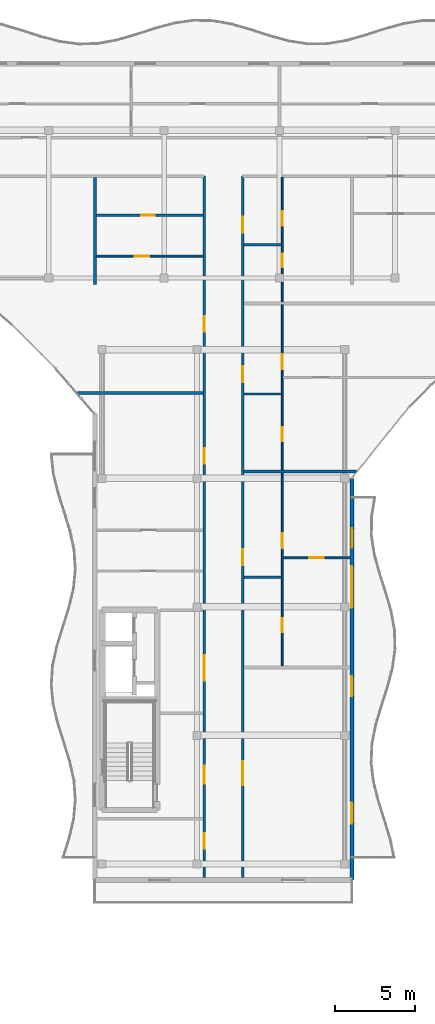
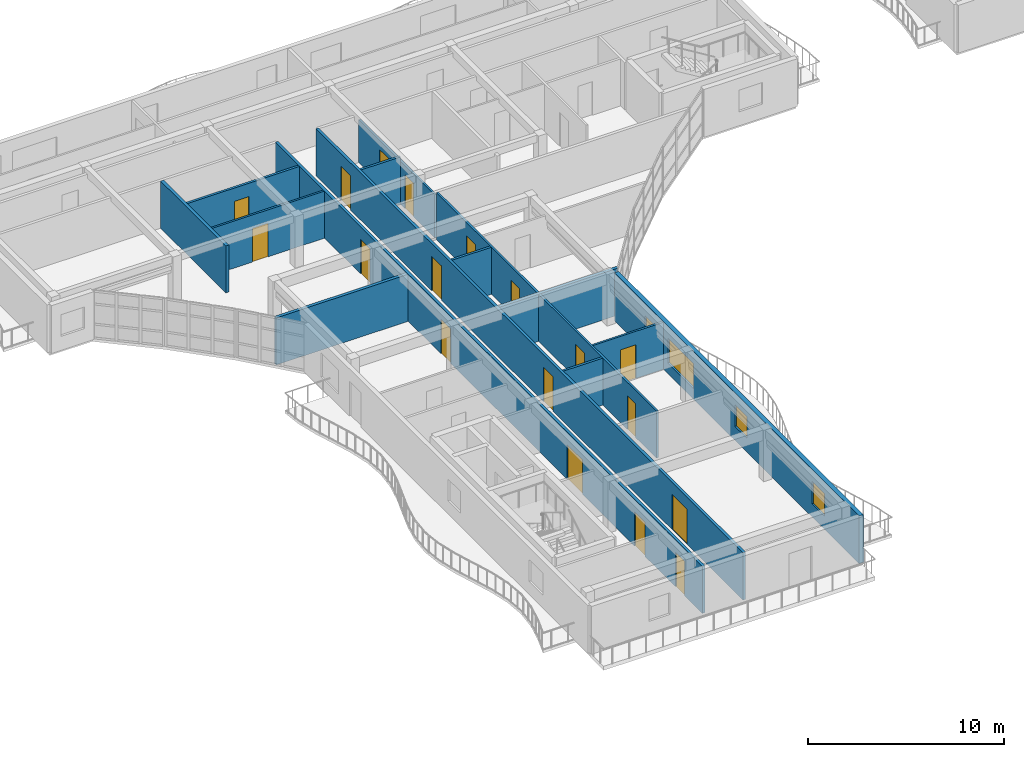
# One storey, part 22 of 39: 19 doors, 15 walls, 3 windows, 22 openings.
"""IFC4 building model written with IfcOpenShell, lengths in metres."""

from ifc_helpers import new_model, si_unit, direction, frame, frame_2d, origin, place, context, subcontext, project, spatial, rectangle, extrude, material, layer, layer_set, type_object, element, fill, save


model = new_model("IFC4")

# Units and contexts
model_context = context("Model", 3, precision=1e-05, world=origin(), true_north=direction((0.0, 1.0)))
body_context = subcontext(model_context, "Body", "Model", "MODEL_VIEW")
ifc_project = project(units=[si_unit("LENGTHUNIT", "METRE"), si_unit("AREAUNIT", "SQUARE_METRE"), si_unit("VOLUMEUNIT", "CUBIC_METRE"), si_unit("PLANEANGLEUNIT", "RADIAN"), si_unit("MASSUNIT", "GRAM", prefix="KILO")], contexts=[model_context])

# Site, building, storey
site_placement = place(None, origin())
site = spatial("IfcSite", under=ifc_project, at=site_placement, CompositionType="ELEMENT")
building_placement = place(site_placement, origin())
building = spatial("IfcBuilding", under=site, at=building_placement, Name="Keldmere Railside Commons", CompositionType="ELEMENT")
storey_placement = place(building_placement, frame((0.0, 0.0, 32.9599609375)))
storey = spatial("IfcBuildingStorey", under=building, at=storey_placement, Name="L10", CompositionType="ELEMENT", Elevation=32.9599609375)

# Walls
ifc_material_1 = material(Name="Acoustic Gypsum Board Partition", Category="gypsum")
ifc_layer_1 = layer(ifc_material_1, 0.179931640625, Name="Acoustic Demising Partition 180")
ifc_layer_set_1 = layer_set([ifc_layer_1], Name="Acoustic Gypsum Board Partition")
wall_type_1 = type_object("IfcWallType", Name="Acoustic Demising Partition 180", PredefinedType="PARTITIONING", material=ifc_layer_set_1)
wall_1_placement = place(storey_placement, frame((104.0, 100.050048828125, 0.0), z_axis=(0.0, 0.0, 1.0), x_axis=(0.0, 1.0, 0.0)))
element("IfcWall", 1, at=wall_1_placement, inside=storey, type_object=wall_type_1, Name="IW-1 IW-L10-1325", PredefinedType="PARTITIONING", context=body_context, shape_type="SweptSolid", body=[
    extrude(rectangle(XDim=6.669921875, YDim=0.179931640625, at=frame_2d((3.3349609375, 0.0))), origin(), (0.0, 0.0, 1.0), 2.93505859375),
])
wall_2_placement = place(storey_placement, frame((113.280029296875, 88.419921875, 0.0), z_axis=(0.0, 0.0, 1.0), x_axis=(1.0, 0.0, 0.0)))
element("IfcWall", 2, at=wall_2_placement, inside=storey, type_object=wall_type_1, Name="IW-1 IW-L10-1329", PredefinedType="PARTITIONING", context=body_context, shape_type="SweptSolid", body=[
    extrude(rectangle(XDim=7.005615234375, YDim=0.179931640625, at=frame_2d((3.5029296875, 0.0))), origin(), (0.0, 0.0, 1.0), 2.93505859375),
])
wall_3_placement = place(storey_placement, frame((102.929443359375, 93.300048828125, 0.0), z_axis=(0.0, 0.0, 1.0), x_axis=(1.0, 0.0, 0.0)))
element("IfcWall", 3, at=wall_3_placement, inside=storey, type_object=wall_type_1, Name="IW-1 IW-L10-1349", PredefinedType="PARTITIONING", context=body_context, shape_type="SweptSolid", body=[
    extrude(rectangle(XDim=7.79052734375, YDim=0.179931640625, at=frame_2d((3.895263671875, 0.0))), origin(), (0.0, 0.0, 1.0), 2.93505859375),
])

# Wall, openings, doors
ifc_layer_2 = layer(ifc_material_1, 0.1201171875, Name="Apartment Interior Partition 120")
ifc_layer_set_2 = layer_set([ifc_layer_2], Name="Acoustic Gypsum Board Partition")
wall_type_2 = type_object("IfcWallType", Name="Apartment Interior Partition 120", PredefinedType="PARTITIONING", material=ifc_layer_set_2)
wall_4_placement = place(storey_placement, frame((115.659912109375, 76.320068359375, 0.0), z_axis=(0.0, 0.0, 1.0), x_axis=(0.0, 1.0, 0.0)))
wall_4 = element("IfcWall", 4, at=wall_4_placement, inside=storey, type_object=wall_type_2, Name="IW-4 IW-L10-1331", PredefinedType="PARTITIONING", context=body_context, shape_type="SweptSolid", body=[
    extrude(rectangle(XDim=12.010009765625, YDim=0.1201171875, at=frame_2d((6.0048828125, 0.0))), origin(), (0.0, 0.0, 1.0), 2.93505859375),
])
opening_1_placement = place(wall_4_placement, frame((2.09765625, 0.0, 0.0)))
opening_1 = element("IfcOpeningElement", 5, at=opening_1_placement, cuts=wall_4, Name="Opening ID-04", PredefinedType="OPENING", context=body_context, shape_type="SweptSolid", body=[
    extrude(rectangle(XDim=0.860107421875, YDim=2.10009765625, at=frame_2d((0.43017578125, 1.050048828125))), frame((0.0, 0.070068359375, 0.0), z_axis=(0.0, -1.0, 0.0), x_axis=(1.0, 0.0, 0.0)), (0.0, 0.0, 1.0), 0.14013671875),
])
opening_2_placement = place(wall_4_placement, frame((7.337158203125, 0.0, 0.0)))
opening_2 = element("IfcOpeningElement", 6, at=opening_2_placement, cuts=wall_4, Name="Opening ID-03", PredefinedType="OPENING", context=body_context, shape_type="SweptSolid", body=[
    extrude(rectangle(XDim=0.919921875, YDim=2.10009765625, at=frame_2d((0.4599609375, 1.050048828125))), frame((0.0, 0.070068359375, 0.0), z_axis=(0.0, -1.0, 0.0), x_axis=(1.0, 0.0, 0.0)), (0.0, 0.0, 1.0), 0.14013671875),
])
ifc_material_2 = material(Name="Engineered Oak Timber", Category="wood")
door_type_1 = type_object("IfcDoorType", Name="Apartment Bathroom Door 860x2100", OperationType="NOTDEFINED", PredefinedType="DOOR", material=ifc_material_2)
door_1_placement = place(opening_1_placement, origin())
door_1 = element("IfcDoor", 7, at=door_1_placement, inside=storey, type_object=door_type_1, Name="ID-04 IDR-L10-1183", OperationType="SINGLE_SWING_LEFT", OverallHeight=2.10009765625, OverallWidth=0.860107421875, PredefinedType="DOOR", context=body_context, shape_type="SweptSolid", body=[
    extrude(rectangle(XDim=0.860107421875, YDim=2.10009765625, at=frame_2d((0.43017578125, 1.050048828125))), frame((0.0, 0.02490234375, 0.0), z_axis=(0.0, -1.0, 0.0), x_axis=(1.0, 0.0, 0.0)), (0.0, 0.0, 1.0), 0.050048828125),
])
fill(opening_1, door_1)
door_type_2 = type_object("IfcDoorType", Name="Kitchen Pocket-Frame Swing Door 920x2100", OperationType="NOTDEFINED", PredefinedType="DOOR", material=ifc_material_2)
door_2_placement = place(opening_2_placement, origin())
door_2 = element("IfcDoor", 8, at=door_2_placement, inside=storey, type_object=door_type_2, Name="ID-03 IDR-L10-1184", OperationType="SINGLE_SWING_RIGHT", OverallHeight=2.10009765625, OverallWidth=0.919921875, PredefinedType="DOOR", context=body_context, shape_type="SweptSolid", body=[
    extrude(rectangle(XDim=0.919921875, YDim=2.10009765625, at=frame_2d((0.4599609375, 1.050048828125))), frame((0.0, 0.02490234375, 0.0), z_axis=(0.0, -1.0, 0.0), x_axis=(1.0, 0.0, 0.0)), (0.0, 0.0, 1.0), 0.050048828125),
])
fill(opening_2, door_2)

# Wall, opening, door
wall_5_placement = place(storey_placement, frame((115.719970703125, 83.050048828125, 0.0), z_axis=(0.0, 0.0, 1.0), x_axis=(1.0, 0.0, 0.0)))
wall_5 = element("IfcWall", 9, at=wall_5_placement, inside=storey, type_object=wall_type_2, Name="IW-4 IW-L10-1333", PredefinedType="PARTITIONING", context=body_context, shape_type="SweptSolid", body=[
    extrude(rectangle(XDim=4.150146484375, YDim=0.1201171875, at=frame_2d((2.0751953125, 0.0))), origin(), (0.0, 0.0, 1.0), 2.93505859375),
])
opening_3_placement = place(wall_5_placement, frame((1.625, 0.0, 0.0)))
opening_3 = element("IfcOpeningElement", 10, at=opening_3_placement, cuts=wall_5, Name="Opening ID-01", PredefinedType="OPENING", context=body_context, shape_type="SweptSolid", body=[
    extrude(rectangle(XDim=0.89990234375, YDim=2.10009765625, at=frame_2d((0.449951171875, 1.050048828125))), frame((0.0, 0.070068359375, 0.0), z_axis=(0.0, -1.0, 0.0), x_axis=(1.0, 0.0, 0.0)), (0.0, 0.0, 1.0), 0.14013671875),
])
door_type_3 = type_object("IfcDoorType", Name="Primary Bedroom Door 900x2100", OperationType="NOTDEFINED", PredefinedType="DOOR", material=ifc_material_2)
door_3_placement = place(opening_3_placement, origin())
door_3 = element("IfcDoor", 11, at=door_3_placement, inside=storey, type_object=door_type_3, Name="ID-01 IDR-L10-1186", OperationType="SINGLE_SWING_RIGHT", OverallHeight=2.10009765625, OverallWidth=0.89990234375, PredefinedType="DOOR", context=body_context, shape_type="SweptSolid", body=[
    extrude(rectangle(XDim=0.89990234375, YDim=2.10009765625, at=frame_2d((0.449951171875, 1.050048828125))), frame((0.0, 0.02490234375, 0.0), z_axis=(0.0, -1.0, 0.0), x_axis=(1.0, 0.0, 0.0)), (0.0, 0.0, 1.0), 0.050048828125),
])
fill(opening_3, door_3)

# Wall, openings, doors
wall_6_placement = place(storey_placement, frame((115.659912109375, 88.510009765625, 0.0), z_axis=(0.0, 0.0, 1.0), x_axis=(0.0, 1.0, 0.0)))
wall_6 = element("IfcWall", 12, at=wall_6_placement, inside=storey, type_object=wall_type_2, Name="IW-4 IW-L10-1334", PredefinedType="PARTITIONING", context=body_context, shape_type="SweptSolid", body=[
    extrude(rectangle(XDim=10.280029296875, YDim=0.1201171875, at=frame_2d((5.14013671875, 0.0))), origin(), (0.0, 0.0, 1.0), 2.93505859375),
])
opening_4_placement = place(wall_6_placement, frame((1.79736328125, 0.0, 0.0)))
opening_4 = element("IfcOpeningElement", 13, at=opening_4_placement, cuts=wall_6, Name="Opening ID-04", PredefinedType="OPENING", context=body_context, shape_type="SweptSolid", body=[
    extrude(rectangle(XDim=0.860107421875, YDim=2.10009765625, at=frame_2d((0.43017578125, 1.050048828125))), frame((0.0, 0.070068359375, 0.0), z_axis=(0.0, -1.0, 0.0), x_axis=(1.0, 0.0, 0.0)), (0.0, 0.0, 1.0), 0.14013671875),
])
opening_5_placement = place(wall_6_placement, frame((6.283935546875, 0.0, 0.0)))
opening_5 = element("IfcOpeningElement", 14, at=opening_5_placement, cuts=wall_6, Name="Opening ID-03", PredefinedType="OPENING", context=body_context, shape_type="SweptSolid", body=[
    extrude(rectangle(XDim=0.919921875, YDim=2.10009765625, at=frame_2d((0.4599609375, 1.050048828125))), frame((0.0, 0.070068359375, 0.0), z_axis=(0.0, -1.0, 0.0), x_axis=(1.0, 0.0, 0.0)), (0.0, 0.0, 1.0), 0.14013671875),
])
door_4_placement = place(opening_4_placement, origin())
door_4 = element("IfcDoor", 15, at=door_4_placement, inside=storey, type_object=door_type_1, Name="ID-04 IDR-L10-1187", OperationType="SINGLE_SWING_LEFT", OverallHeight=2.10009765625, OverallWidth=0.860107421875, PredefinedType="DOOR", context=body_context, shape_type="SweptSolid", body=[
    extrude(rectangle(XDim=0.860107421875, YDim=2.10009765625, at=frame_2d((0.43017578125, 1.050048828125))), frame((0.0, 0.02490234375, 0.0), z_axis=(0.0, -1.0, 0.0), x_axis=(1.0, 0.0, 0.0)), (0.0, 0.0, 1.0), 0.050048828125),
])
fill(opening_4, door_4)
door_5_placement = place(opening_5_placement, origin())
door_5 = element("IfcDoor", 16, at=door_5_placement, inside=storey, type_object=door_type_2, Name="ID-03 IDR-L10-1188", OperationType="SINGLE_SWING_RIGHT", OverallHeight=2.10009765625, OverallWidth=0.919921875, PredefinedType="DOOR", context=body_context, shape_type="SweptSolid", body=[
    extrude(rectangle(XDim=0.919921875, YDim=2.10009765625, at=frame_2d((0.4599609375, 1.050048828125))), frame((0.0, 0.02490234375, 0.0), z_axis=(0.0, -1.0, 0.0), x_axis=(1.0, 0.0, 0.0)), (0.0, 0.0, 1.0), 0.050048828125),
])
fill(opening_5, door_5)

wall_7_placement = place(storey_placement, frame((115.659912109375, 98.969970703125, 0.0), z_axis=(0.0, 0.0, 1.0), x_axis=(0.0, 1.0, 0.0)))
wall_7 = element("IfcWall", 17, at=wall_7_placement, inside=storey, type_object=wall_type_2, Name="IW-4 IW-L10-1337", PredefinedType="PARTITIONING", context=body_context, shape_type="SweptSolid", body=[
    extrude(rectangle(XDim=7.75, YDim=0.1201171875, at=frame_2d((3.875, 0.0))), origin(), (0.0, 0.0, 1.0), 2.679931640625),
])
opening_6_placement = place(wall_7_placement, frame((2.15283203125, 0.0, 0.0)))
opening_6 = element("IfcOpeningElement", 18, at=opening_6_placement, cuts=wall_7, Name="Opening ID-04", PredefinedType="OPENING", context=body_context, shape_type="SweptSolid", body=[
    extrude(rectangle(XDim=0.860107421875, YDim=2.10009765625, at=frame_2d((0.43017578125, 1.050048828125))), frame((0.0, 0.070068359375, 0.0), z_axis=(0.0, -1.0, 0.0), x_axis=(1.0, 0.0, 0.0)), (0.0, 0.0, 1.0), 0.14013671875),
])
opening_7_placement = place(wall_7_placement, frame((4.733154296875, 0.0, 0.0)))
opening_7 = element("IfcOpeningElement", 19, at=opening_7_placement, cuts=wall_7, Name="Opening ID-03", PredefinedType="OPENING", context=body_context, shape_type="SweptSolid", body=[
    extrude(rectangle(XDim=0.919921875, YDim=2.10009765625, at=frame_2d((0.4599609375, 1.050048828125))), frame((0.0, 0.070068359375, 0.0), z_axis=(0.0, -1.0, 0.0), x_axis=(1.0, 0.0, 0.0)), (0.0, 0.0, 1.0), 0.14013671875),
])
door_6_placement = place(opening_6_placement, origin())
door_6 = element("IfcDoor", 20, at=door_6_placement, inside=storey, type_object=door_type_1, Name="ID-04 IDR-L10-1191", OperationType="SINGLE_SWING_LEFT", OverallHeight=2.10009765625, OverallWidth=0.860107421875, PredefinedType="DOOR", context=body_context, shape_type="SweptSolid", body=[
    extrude(rectangle(XDim=0.860107421875, YDim=2.10009765625, at=frame_2d((0.43017578125, 1.050048828125))), frame((0.0, 0.02490234375, 0.0), z_axis=(0.0, -1.0, 0.0), x_axis=(1.0, 0.0, 0.0)), (0.0, 0.0, 1.0), 0.050048828125),
])
fill(opening_6, door_6)
door_7_placement = place(opening_7_placement, origin())
door_7 = element("IfcDoor", 21, at=door_7_placement, inside=storey, type_object=door_type_2, Name="ID-03 IDR-L10-1192", OperationType="SINGLE_SWING_RIGHT", OverallHeight=2.10009765625, OverallWidth=0.919921875, PredefinedType="DOOR", context=body_context, shape_type="SweptSolid", body=[
    extrude(rectangle(XDim=0.919921875, YDim=2.10009765625, at=frame_2d((0.4599609375, 1.050048828125))), frame((0.0, 0.02490234375, 0.0), z_axis=(0.0, -1.0, 0.0), x_axis=(1.0, 0.0, 0.0)), (0.0, 0.0, 1.0), 0.050048828125),
])
fill(opening_7, door_7)

# Wall, opening, door
wall_8_placement = place(storey_placement, frame((104.090087890625, 101.820068359375, 0.0), z_axis=(0.0, 0.0, 1.0), x_axis=(1.0, 0.0, 0.0)))
wall_8 = element("IfcWall", 22, at=wall_8_placement, inside=storey, type_object=wall_type_2, Name="IW-4 IW-L10-1352", PredefinedType="PARTITIONING", context=body_context, shape_type="SweptSolid", body=[
    extrude(rectangle(XDim=6.6298828125, YDim=0.1201171875, at=frame_2d((3.31494140625, 0.0))), origin(), (0.0, 0.0, 1.0), 2.93505859375),
])
opening_8_placement = place(wall_8_placement, frame((2.384521484375, 0.0, 0.0)))
opening_8 = element("IfcOpeningElement", 23, at=opening_8_placement, cuts=wall_8, Name="Opening ID-03", PredefinedType="OPENING", context=body_context, shape_type="SweptSolid", body=[
    extrude(rectangle(XDim=0.919921875, YDim=2.10009765625, at=frame_2d((0.4599609375, 1.050048828125))), frame((0.0, 0.070068359375, 0.0), z_axis=(0.0, -1.0, 0.0), x_axis=(1.0, 0.0, 0.0)), (0.0, 0.0, 1.0), 0.14013671875),
])
door_8_placement = place(opening_8_placement, origin())
door_8 = element("IfcDoor", 24, at=door_8_placement, inside=storey, type_object=door_type_2, Name="ID-03 IDR-L10-1213", OperationType="SINGLE_SWING_LEFT", OverallHeight=2.10009765625, OverallWidth=0.919921875, PredefinedType="DOOR", context=body_context, shape_type="SweptSolid", body=[
    extrude(rectangle(XDim=0.919921875, YDim=2.10009765625, at=frame_2d((0.4599609375, 1.050048828125))), frame((0.0, 0.02490234375, 0.0), z_axis=(0.0, -1.0, 0.0), x_axis=(1.0, 0.0, 0.0)), (0.0, 0.0, 1.0), 0.050048828125),
])
fill(opening_8, door_8)

# Wall, openings, doors
ifc_layer_3 = layer(ifc_material_1, 0.159912109375, Name="Corridor Fire Partition 160")
ifc_layer_set_3 = layer_set([ifc_layer_3], Name="Acoustic Gypsum Board Partition")
wall_type_3 = type_object("IfcWallType", Name="Corridor Fire Partition 160", PredefinedType="PARTITIONING", material=ifc_layer_set_3)
wall_9_placement = place(storey_placement, frame((110.800048828125, 63.159912109375, 0.0), z_axis=(0.0, 0.0, 1.0), x_axis=(0.0, 1.0, 0.0)))
wall_9 = element("IfcWall", 25, at=wall_9_placement, inside=storey, type_object=wall_type_3, Name="IW-2 IW-L10-1319", PredefinedType="PARTITIONING", context=body_context, shape_type="SweptSolid", body=[
    extrude(rectangle(XDim=43.64013671875, YDim=0.159912109375, at=frame_2d((21.820068359375, 0.0))), origin(), (0.0, 0.0, 1.0), 2.93505859375),
])
opening_9_placement = place(wall_9_placement, frame((5.840087890625, 0.0, 0.0)))
opening_9 = element("IfcOpeningElement", 26, at=opening_9_placement, cuts=wall_9, Name="Opening FD-2", PredefinedType="OPENING", context=body_context, shape_type="SweptSolid", body=[
    extrude(rectangle(XDim=1.10009765625, YDim=2.14990234375, at=frame_2d((0.550048828125, 1.074951171875))), frame((0.0, 0.08984375, 0.0), z_axis=(0.0, -1.0, 0.0), x_axis=(1.0, 0.0, 0.0)), (0.0, 0.0, 1.0), 0.179931640625),
])
opening_10_placement = place(wall_9_placement, frame((12.239990234375, 0.0, 0.0)))
opening_10 = element("IfcOpeningElement", 27, at=opening_10_placement, cuts=wall_9, Name="Opening FD-4", PredefinedType="OPENING", context=body_context, shape_type="SweptSolid", body=[
    extrude(rectangle(XDim=1.60009765625, YDim=2.14990234375, at=frame_2d((0.800048828125, 1.074951171875))), frame((0.0, 0.08984375, 0.0), z_axis=(0.0, -1.0, 0.0), x_axis=(1.0, 0.0, 0.0)), (0.0, 0.0, 1.0), 0.179931640625),
])
opening_11_placement = place(wall_9_placement, frame((1.800048828125, 0.0, 0.0)))
opening_11 = element("IfcOpeningElement", 28, at=opening_11_placement, cuts=wall_9, Name="Opening ID-08", PredefinedType="OPENING", context=body_context, shape_type="SweptSolid", body=[
    extrude(rectangle(XDim=0.9599609375, YDim=2.14990234375, at=frame_2d((0.47998046875, 1.074951171875))), frame((0.0, 0.08984375, 0.0), z_axis=(0.0, -1.0, 0.0), x_axis=(1.0, 0.0, 0.0)), (0.0, 0.0, 1.0), 0.179931640625),
])
opening_12_placement = place(wall_9_placement, frame((25.7451171875, 0.0, 0.0)))
opening_12 = element("IfcOpeningElement", 29, at=opening_12_placement, cuts=wall_9, Name="Opening FD-7", PredefinedType="OPENING", context=body_context, shape_type="SweptSolid", body=[
    extrude(rectangle(XDim=0.97998046875, YDim=2.14990234375, at=frame_2d((0.489990234375, 1.074951171875))), frame((0.0, 0.08984375, 0.0), z_axis=(0.0, -1.0, 0.0), x_axis=(1.0, 0.0, 0.0)), (0.0, 0.0, 1.0), 0.179931640625),
])
opening_13_placement = place(wall_9_placement, frame((33.955078125, 0.0, 0.0)))
opening_13 = element("IfcOpeningElement", 30, at=opening_13_placement, cuts=wall_9, Name="Opening FD-7", PredefinedType="OPENING", context=body_context, shape_type="SweptSolid", body=[
    extrude(rectangle(XDim=0.97998046875, YDim=2.14990234375, at=frame_2d((0.489990234375, 1.074951171875))), frame((0.0, 0.08984375, 0.0), z_axis=(0.0, -1.0, 0.0), x_axis=(1.0, 0.0, 0.0)), (0.0, 0.0, 1.0), 0.179931640625),
])
door_type_4 = type_object("IfcDoorType", Name="Apartment Entrance Acoustic Fire Door 980x2150", OperationType="NOTDEFINED", PredefinedType="DOOR", material=ifc_material_2)
door_9_placement = place(opening_12_placement, origin())
door_9 = element("IfcDoor", 31, at=door_9_placement, inside=storey, type_object=door_type_4, Name="FD-7 IDR-L10-1211", OperationType="SINGLE_SWING_LEFT", OverallHeight=2.14990234375, OverallWidth=0.97998046875, PredefinedType="DOOR", context=body_context, shape_type="SweptSolid", body=[
    extrude(rectangle(XDim=0.97998046875, YDim=2.14990234375, at=frame_2d((0.489990234375, 1.074951171875))), frame((0.0, 0.02490234375, 0.0), z_axis=(0.0, -1.0, 0.0), x_axis=(1.0, 0.0, 0.0)), (0.0, 0.0, 1.0), 0.050048828125),
])
fill(opening_12, door_9)
door_10_placement = place(opening_13_placement, origin())
door_10 = element("IfcDoor", 32, at=door_10_placement, inside=storey, type_object=door_type_4, Name="FD-7 IDR-L10-1214", OperationType="SINGLE_SWING_RIGHT", OverallHeight=2.14990234375, OverallWidth=0.97998046875, PredefinedType="DOOR", context=body_context, shape_type="SweptSolid", body=[
    extrude(rectangle(XDim=0.97998046875, YDim=2.14990234375, at=frame_2d((0.489990234375, 1.074951171875))), frame((0.0, 0.02490234375, 0.0), z_axis=(0.0, -1.0, 0.0), x_axis=(1.0, 0.0, 0.0)), (0.0, 0.0, 1.0), 0.050048828125),
])
fill(opening_13, door_10)
ifc_material_3 = material(Name="Steel F-24 (S235)", Category="steel")
door_type_5 = type_object("IfcDoorType", Name="Corridor Cross-Compartment Double Fire Door 1600x2150", OperationType="DOUBLE_DOOR_SINGLE_SWING", PredefinedType="DOOR", material=ifc_material_3)
door_11_placement = place(opening_10_placement, origin())
door_11 = element("IfcDoor", 33, at=door_11_placement, inside=storey, type_object=door_type_5, Name="FD-4 IDR-L10-1181", OperationType="DOUBLE_DOOR_SINGLE_SWING", OverallHeight=2.14990234375, OverallWidth=1.60009765625, PredefinedType="DOOR", context=body_context, shape_type="SweptSolid", body=[
    extrude(rectangle(XDim=1.60009765625, YDim=2.14990234375, at=frame_2d((0.800048828125, 1.074951171875))), frame((0.0, 0.02490234375, 0.0), z_axis=(0.0, -1.0, 0.0), x_axis=(1.0, 0.0, 0.0)), (0.0, 0.0, 1.0), 0.050048828125),
])
fill(opening_10, door_11)
door_type_6 = type_object("IfcDoorType", Name="Firefighting Lobby Fire Door 1100x2150", OperationType="NOTDEFINED", PredefinedType="DOOR", material=ifc_material_3)
door_12_placement = place(opening_9_placement, origin())
door_12 = element("IfcDoor", 34, at=door_12_placement, inside=storey, type_object=door_type_6, Name="FD-2 IDR-L10-1180", OperationType="SINGLE_SWING_RIGHT", OverallHeight=2.14990234375, OverallWidth=1.10009765625, PredefinedType="DOOR", context=body_context, shape_type="SweptSolid", body=[
    extrude(rectangle(XDim=1.10009765625, YDim=2.14990234375, at=frame_2d((0.550048828125, 1.074951171875))), frame((0.0, 0.02490234375, 0.0), z_axis=(0.0, -1.0, 0.0), x_axis=(1.0, 0.0, 0.0)), (0.0, 0.0, 1.0), 0.050048828125),
])
fill(opening_9, door_12)
door_type_7 = type_object("IfcDoorType", Name="Study & Meeting Room Door 960x2150", OperationType="NOTDEFINED", PredefinedType="DOOR", material=ifc_material_2)
door_13_placement = place(opening_11_placement, origin())
door_13 = element("IfcDoor", 35, at=door_13_placement, inside=storey, type_object=door_type_7, Name="ID-08 IDR-L10-1208", OperationType="SINGLE_SWING_RIGHT", OverallHeight=2.14990234375, OverallWidth=0.9599609375, PredefinedType="DOOR", context=body_context, shape_type="SweptSolid", body=[
    extrude(rectangle(XDim=0.9599609375, YDim=2.14990234375, at=frame_2d((0.47998046875, 1.074951171875))), frame((0.0, 0.02490234375, 0.0), z_axis=(0.0, -1.0, 0.0), x_axis=(1.0, 0.0, 0.0)), (0.0, 0.0, 1.0), 0.050048828125),
])
fill(opening_11, door_13)

wall_10_placement = place(storey_placement, frame((113.199951171875, 63.159912109375, 0.0), z_axis=(0.0, 0.0, 1.0), x_axis=(0.0, 1.0, 0.0)))
wall_10 = element("IfcWall", 36, at=wall_10_placement, inside=storey, type_object=wall_type_3, Name="IW-2 IW-L10-1320", PredefinedType="PARTITIONING", context=body_context, shape_type="SweptSolid", body=[
    extrude(rectangle(XDim=43.64013671875, YDim=0.159912109375, at=frame_2d((21.820068359375, 0.0))), origin(), (0.0, 0.0, 1.0), 2.93505859375),
])
opening_14_placement = place(wall_10_placement, frame((5.739990234375, 0.0, 0.0)))
opening_14 = element("IfcOpeningElement", 37, at=opening_14_placement, cuts=wall_10, Name="Opening ID-07", PredefinedType="OPENING", context=body_context, shape_type="SweptSolid", body=[
    extrude(rectangle(XDim=1.5, YDim=2.199951171875, at=frame_2d((0.75, 1.10009765625))), frame((0.0, 0.08984375, 0.0), z_axis=(0.0, -1.0, 0.0), x_axis=(1.0, 0.0, 0.0)), (0.0, 0.0, 1.0), 0.179931640625),
])
opening_15_placement = place(wall_10_placement, frame((19.429931640625, 0.0, 0.0)))
opening_15 = element("IfcOpeningElement", 38, at=opening_15_placement, cuts=wall_10, Name="Opening FD-7", PredefinedType="OPENING", context=body_context, shape_type="SweptSolid", body=[
    extrude(rectangle(XDim=0.97998046875, YDim=2.14990234375, at=frame_2d((0.489990234375, 1.074951171875))), frame((0.0, 0.08984375, 0.0), z_axis=(0.0, -1.0, 0.0), x_axis=(1.0, 0.0, 0.0)), (0.0, 0.0, 1.0), 0.179931640625),
])
opening_16_placement = place(wall_10_placement, frame((30.830078125, 0.0, 0.0)))
opening_16 = element("IfcOpeningElement", 39, at=opening_16_placement, cuts=wall_10, Name="Opening FD-7", PredefinedType="OPENING", context=body_context, shape_type="SweptSolid", body=[
    extrude(rectangle(XDim=0.97998046875, YDim=2.14990234375, at=frame_2d((0.489990234375, 1.074951171875))), frame((0.0, 0.08984375, 0.0), z_axis=(0.0, -1.0, 0.0), x_axis=(1.0, 0.0, 0.0)), (0.0, 0.0, 1.0), 0.179931640625),
])
opening_17_placement = place(wall_10_placement, frame((40.1201171875, 0.0, 0.0)))
opening_17 = element("IfcOpeningElement", 40, at=opening_17_placement, cuts=wall_10, Name="Opening FD-7", PredefinedType="OPENING", context=body_context, shape_type="SweptSolid", body=[
    extrude(rectangle(XDim=0.97998046875, YDim=2.14990234375, at=frame_2d((0.489990234375, 1.074951171875))), frame((0.0, 0.08984375, 0.0), z_axis=(0.0, -1.0, 0.0), x_axis=(1.0, 0.0, 0.0)), (0.0, 0.0, 1.0), 0.179931640625),
])
door_14_placement = place(opening_15_placement, origin())
door_14 = element("IfcDoor", 41, at=door_14_placement, inside=storey, type_object=door_type_4, Name="FD-7 IDR-L10-1185", OperationType="SINGLE_SWING_LEFT", OverallHeight=2.14990234375, OverallWidth=0.97998046875, PredefinedType="DOOR", context=body_context, shape_type="SweptSolid", body=[
    extrude(rectangle(XDim=0.97998046875, YDim=2.14990234375, at=frame_2d((0.489990234375, 1.074951171875))), frame((0.0, 0.02490234375, 0.0), z_axis=(0.0, -1.0, 0.0), x_axis=(1.0, 0.0, 0.0)), (0.0, 0.0, 1.0), 0.050048828125),
])
fill(opening_15, door_14)
door_15_placement = place(opening_16_placement, origin())
door_15 = element("IfcDoor", 42, at=door_15_placement, inside=storey, type_object=door_type_4, Name="FD-7 IDR-L10-1189", OperationType="SINGLE_SWING_LEFT", OverallHeight=2.14990234375, OverallWidth=0.97998046875, PredefinedType="DOOR", context=body_context, shape_type="SweptSolid", body=[
    extrude(rectangle(XDim=0.97998046875, YDim=2.14990234375, at=frame_2d((0.489990234375, 1.074951171875))), frame((0.0, 0.02490234375, 0.0), z_axis=(0.0, -1.0, 0.0), x_axis=(1.0, 0.0, 0.0)), (0.0, 0.0, 1.0), 0.050048828125),
])
fill(opening_16, door_15)
door_16_placement = place(opening_17_placement, origin())
door_16 = element("IfcDoor", 43, at=door_16_placement, inside=storey, type_object=door_type_4, Name="FD-7 IDR-L10-1193", OperationType="SINGLE_SWING_LEFT", OverallHeight=2.14990234375, OverallWidth=0.97998046875, PredefinedType="DOOR", context=body_context, shape_type="SweptSolid", body=[
    extrude(rectangle(XDim=0.97998046875, YDim=2.14990234375, at=frame_2d((0.489990234375, 1.074951171875))), frame((0.0, 0.02490234375, 0.0), z_axis=(0.0, -1.0, 0.0), x_axis=(1.0, 0.0, 0.0)), (0.0, 0.0, 1.0), 0.050048828125),
])
fill(opening_17, door_16)
door_type_8 = type_object("IfcDoorType", Name="Resident Lounge Double Door 1500x2200", OperationType="DOUBLE_DOOR_SINGLE_SWING", PredefinedType="DOOR", material=ifc_material_2)
door_17_placement = place(opening_14_placement, origin())
door_17 = element("IfcDoor", 44, at=door_17_placement, inside=storey, type_object=door_type_8, Name="ID-07 IDR-L10-1182", OperationType="DOUBLE_DOOR_SINGLE_SWING", OverallHeight=2.199951171875, OverallWidth=1.5, PredefinedType="DOOR", context=body_context, shape_type="SweptSolid", body=[
    extrude(rectangle(XDim=1.5, YDim=2.199951171875, at=frame_2d((0.75, 1.10009765625))), frame((0.0, 0.02490234375, 0.0), z_axis=(0.0, -1.0, 0.0), x_axis=(1.0, 0.0, 0.0)), (0.0, 0.0, 1.0), 0.050048828125),
])
fill(opening_14, door_17)

# Wall, openings, door, windows
ifc_material_4 = material(Name="Terracotta Brick Masonry", Category="masonry")
ifc_layer_4 = layer(ifc_material_4, 0.260009765625, Name="Terracotta Cavity Wall 260")
ifc_layer_set_4 = layer_set([ifc_layer_4], Name="Terracotta Brick Masonry")
wall_type_4 = type_object("IfcWallType", Name="Terracotta Cavity Wall 260", PredefinedType="SOLIDWALL", material=ifc_layer_set_4)
wall_11_placement = place(storey_placement, frame((120.0, 88.0, 0.0), z_axis=(0.0, 0.0, 1.0), x_axis=(0.0, -1.0, 0.0)))
wall_11 = element("IfcWall", 45, at=wall_11_placement, inside=storey, type_object=wall_type_4, Name="EW-1 EXTB-L10-0665", PredefinedType="SOLIDWALL", context=body_context, shape_type="SweptSolid", body=[
    extrude(rectangle(XDim=25.0, YDim=0.260009765625, at=frame_2d((12.5, 0.0))), origin(), (0.0, 0.0, 1.0), 2.97998046875),
])
opening_18_placement = place(wall_11_placement, frame((3.11669921875, 0.0, 0.0)))
opening_18 = element("IfcOpeningElement", 46, at=opening_18_placement, cuts=wall_11, Name="Opening BD-01", PredefinedType="OPENING", context=body_context, shape_type="SweptSolid", body=[
    extrude(rectangle(XDim=1.199951171875, YDim=2.199951171875, at=frame_2d((0.60009765625, 1.10009765625))), frame((0.0, 0.139892578125, 0.0), z_axis=(0.0, -1.0, 0.0), x_axis=(1.0, 0.0, 0.0)), (0.0, 0.0, 1.0), 0.280029296875),
])
opening_19_placement = place(wall_11_placement, frame((5.466796875, 0.0, 0.669921875)))
opening_19 = element("IfcOpeningElement", 47, at=opening_19_placement, cuts=wall_11, Name="Opening WN-39", PredefinedType="OPENING", context=body_context, shape_type="SweptSolid", body=[
    extrude(rectangle(XDim=2.60009765625, YDim=1.550048828125, at=frame_2d((1.300048828125, 0.77490234375))), frame((0.0, 0.139892578125, 0.0), z_axis=(0.0, -1.0, 0.0), x_axis=(1.0, 0.0, 0.0)), (0.0, 0.0, 1.0), 0.280029296875),
])
opening_20_placement = place(wall_11_placement, frame((12.324951171875, 0.0, 0.8701171875)))
opening_20 = element("IfcOpeningElement", 48, at=opening_20_placement, cuts=wall_11, Name="Opening WN-09", PredefinedType="OPENING", context=body_context, shape_type="SweptSolid", body=[
    extrude(rectangle(XDim=1.25, YDim=1.35009765625, at=frame_2d((0.625, 0.675048828125))), frame((0.0, 0.139892578125, 0.0), z_axis=(0.0, -1.0, 0.0), x_axis=(1.0, 0.0, 0.0)), (0.0, 0.0, 1.0), 0.280029296875),
])
opening_21_placement = place(wall_11_placement, frame((20.183349609375, 0.0, 0.820068359375)))
opening_21 = element("IfcOpeningElement", 49, at=opening_21_placement, cuts=wall_11, Name="Opening WN-10", PredefinedType="OPENING", context=body_context, shape_type="SweptSolid", body=[
    extrude(rectangle(XDim=1.300048828125, YDim=1.39990234375, at=frame_2d((0.64990234375, 0.699951171875))), frame((0.0, 0.139892578125, 0.0), z_axis=(0.0, -1.0, 0.0), x_axis=(1.0, 0.0, 0.0)), (0.0, 0.0, 1.0), 0.280029296875),
])
ifc_material_5 = material(Name="Thermally Broken Aluminium", Category="aluminium")
door_type_9 = type_object("IfcDoorType", Name="Apartment Living Wave-Balcony Glazed Door 1200x2200", OperationType="NOTDEFINED", PredefinedType="DOOR", material=ifc_material_5)
door_18_placement = place(opening_18_placement, origin())
door_18 = element("IfcDoor", 50, at=door_18_placement, inside=storey, type_object=door_type_9, Name="BD-01 DR-L10-0199", OperationType="SINGLE_SWING_LEFT", OverallHeight=2.199951171875, OverallWidth=1.199951171875, PredefinedType="DOOR", context=body_context, shape_type="SweptSolid", body=[
    extrude(rectangle(XDim=1.199951171875, YDim=2.199951171875, at=frame_2d((0.60009765625, 1.10009765625))), frame((0.0, 0.02490234375, 0.0), z_axis=(0.0, -1.0, 0.0), x_axis=(1.0, 0.0, 0.0)), (0.0, 0.0, 1.0), 0.050048828125),
])
fill(opening_18, door_18)
ifc_material_6 = material(Name="Low-E Insulated Double Glazing", Category="glass")
window_type_1 = type_object("IfcWindowType", Name="Secondary Bedroom Court Window 1300x1400", PartitioningType="SINGLE_PANEL", PredefinedType="WINDOW", material=ifc_material_6)
window_1_placement = place(opening_21_placement, origin())
window_1 = element("IfcWindow", 51, at=window_1_placement, inside=storey, type_object=window_type_1, Name="WN-10 WIN-L10-0528", OverallHeight=1.39990234375, OverallWidth=1.300048828125, PartitioningType="SINGLE_PANEL", PredefinedType="WINDOW", context=body_context, shape_type="SweptSolid", body=[
    extrude(rectangle(XDim=1.300048828125, YDim=1.39990234375, at=frame_2d((0.64990234375, 0.699951171875))), frame((0.0, 0.030029296875, 0.0), z_axis=(0.0, -1.0, 0.0), x_axis=(1.0, 0.0, 0.0)), (0.0, 0.0, 1.0), 0.06005859375),
])
fill(opening_21, window_1)
window_type_2 = type_object("IfcWindowType", Name="Secondary Bedroom Window 1250x1350", PartitioningType="SINGLE_PANEL", PredefinedType="WINDOW", material=ifc_material_6)
window_2_placement = place(opening_20_placement, origin())
window_2 = element("IfcWindow", 52, at=window_2_placement, inside=storey, type_object=window_type_2, Name="WN-09 WIN-L10-0527", OverallHeight=1.35009765625, OverallWidth=1.25, PartitioningType="SINGLE_PANEL", PredefinedType="WINDOW", context=body_context, shape_type="SweptSolid", body=[
    extrude(rectangle(XDim=1.25, YDim=1.35009765625, at=frame_2d((0.625, 0.675048828125))), frame((0.0, 0.030029296875, 0.0), z_axis=(0.0, -1.0, 0.0), x_axis=(1.0, 0.0, 0.0)), (0.0, 0.0, 1.0), 0.06005859375),
])
fill(opening_20, window_2)
window_type_3 = type_object("IfcWindowType", Name="Three-Bed Corner Living Window 2600x1550", PartitioningType="SINGLE_PANEL", PredefinedType="WINDOW", material=ifc_material_6)
window_3_placement = place(opening_19_placement, origin())
window_3 = element("IfcWindow", 53, at=window_3_placement, inside=storey, type_object=window_type_3, Name="WN-39 WIN-L10-0526", OverallHeight=1.550048828125, OverallWidth=2.60009765625, PartitioningType="SINGLE_PANEL", PredefinedType="WINDOW", context=body_context, shape_type="SweptSolid", body=[
    extrude(rectangle(XDim=2.60009765625, YDim=1.550048828125, at=frame_2d((1.300048828125, 0.77490234375))), frame((0.0, 0.030029296875, 0.0), z_axis=(0.0, -1.0, 0.0), x_axis=(1.0, 0.0, 0.0)), (0.0, 0.0, 1.0), 0.06005859375),
])
fill(opening_19, window_3)

# Walls
ifc_layer_5 = layer(ifc_material_1, 0.139892578125, Name="Wet-Room Sanitary Partition 140")
ifc_layer_set_5 = layer_set([ifc_layer_5], Name="Acoustic Gypsum Board Partition")
wall_type_5 = type_object("IfcWallType", Name="Wet-Room Sanitary Partition 140", PredefinedType="PARTITIONING", material=ifc_layer_set_5)
for number, where, z_axis, x_axis, name in (
    (54, (113.280029296875, 81.840087890625, 0.0), (0.0, 0.0, 1.0), (1.0, 0.0, 0.0), "IW-5 IW-L10-1332"),
    (55, (113.280029296875, 93.239990234375, 0.0), (0.0, 0.0, 1.0), (1.0, 0.0, 0.0), "IW-5 IW-L10-1335"),
    (56, (113.280029296875, 102.530029296875, 0.0), (0.0, 0.0, 1.0), (1.0, 0.0, 0.0), "IW-5 IW-L10-1338"),
):
    element("IfcWall", number, at=place(storey_placement, frame(where, z_axis=z_axis, x_axis=x_axis)), inside=storey, type_object=wall_type_5, Name=name, PredefinedType="PARTITIONING", context=body_context, shape_type="SweptSolid", body=[
        extrude(rectangle(XDim=2.320068359375, YDim=0.139892578125, at=frame_2d((1.16015625, 0.0))), origin(), (0.0, 0.0, 1.0), 2.93505859375),
    ])

# Wall, opening, door
wall_12_placement = place(storey_placement, frame((104.090087890625, 104.3701171875, 0.0), z_axis=(0.0, 0.0, 1.0), x_axis=(1.0, 0.0, 0.0)))
wall_12 = element("IfcWall", 57, at=wall_12_placement, inside=storey, type_object=wall_type_5, Name="IW-5 IW-L10-1353", PredefinedType="PARTITIONING", context=body_context, shape_type="SweptSolid", body=[
    extrude(rectangle(XDim=6.6298828125, YDim=0.139892578125, at=frame_2d((3.31494140625, 0.0))), origin(), (0.0, 0.0, 1.0), 2.93505859375),
])
opening_22_placement = place(wall_12_placement, frame((2.78466796875, 0.0, 0.0)))
opening_22 = element("IfcOpeningElement", 58, at=opening_22_placement, cuts=wall_12, Name="Opening ID-04", PredefinedType="OPENING", context=body_context, shape_type="SweptSolid", body=[
    extrude(rectangle(XDim=0.860107421875, YDim=2.10009765625, at=frame_2d((0.43017578125, 1.050048828125))), frame((0.0, 0.079833984375, 0.0), z_axis=(0.0, -1.0, 0.0), x_axis=(1.0, 0.0, 0.0)), (0.0, 0.0, 1.0), 0.159912109375),
])
door_19_placement = place(opening_22_placement, origin())
door_19 = element("IfcDoor", 59, at=door_19_placement, inside=storey, type_object=door_type_1, Name="ID-04 IDR-L10-1212", OperationType="SINGLE_SWING_RIGHT", OverallHeight=2.10009765625, OverallWidth=0.860107421875, PredefinedType="DOOR", context=body_context, shape_type="SweptSolid", body=[
    extrude(rectangle(XDim=0.860107421875, YDim=2.10009765625, at=frame_2d((0.43017578125, 1.050048828125))), frame((0.0, 0.02490234375, 0.0), z_axis=(0.0, -1.0, 0.0), x_axis=(1.0, 0.0, 0.0)), (0.0, 0.0, 1.0), 0.050048828125),
])
fill(opening_22, door_19)

save(model, "model.ifc")
